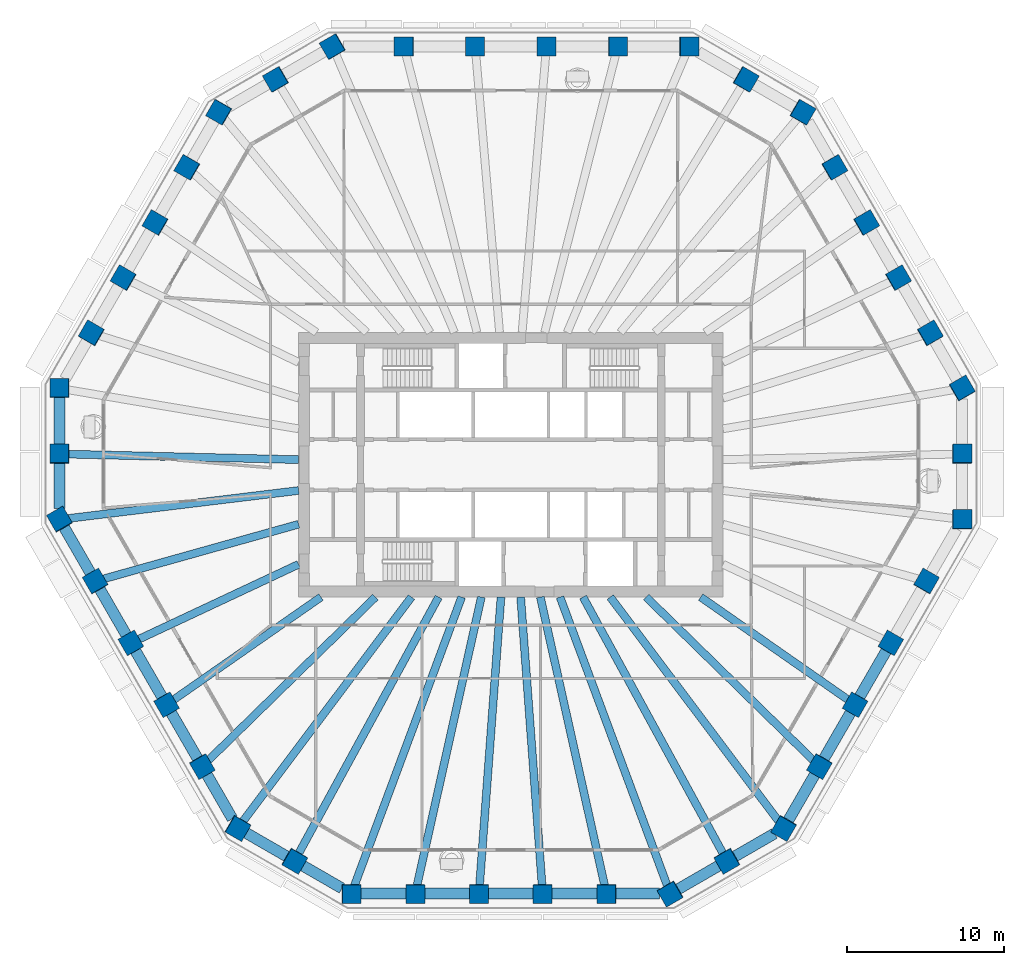
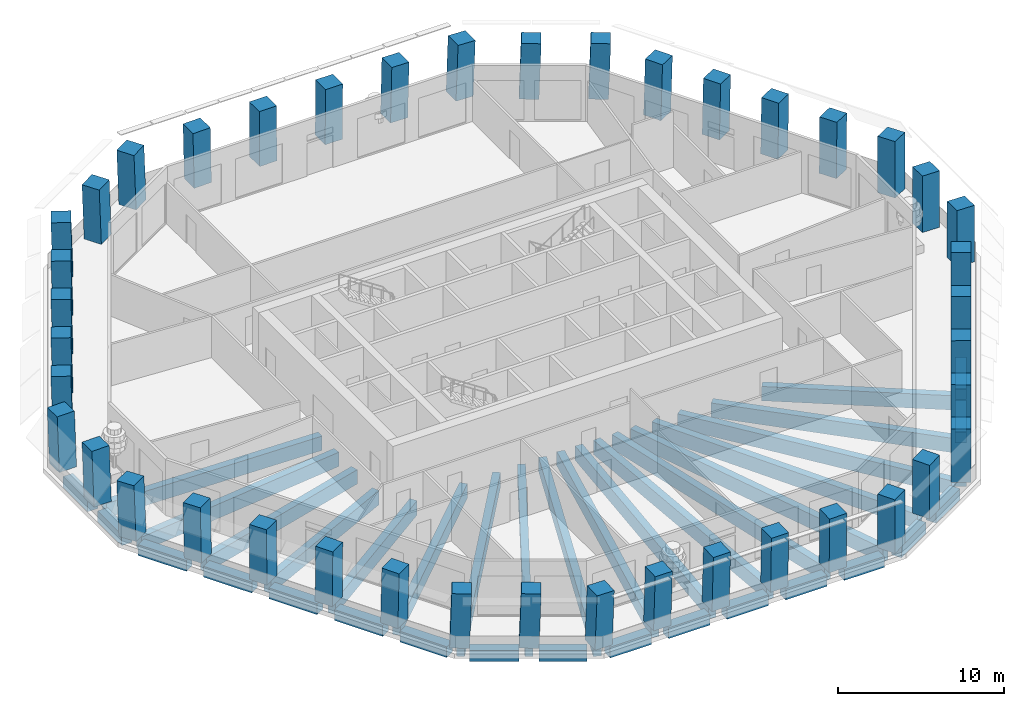
# One storey, part 1 of 13: 42 columns, 37 beams.
"""IFC4 building model written with IfcOpenShell, lengths in metres."""

from ifc_helpers import new_model, si_unit, direction, frame, origin, origin_2d, place, context, subcontext, project, spatial, rectangle, extrude, material, material_profile, profile_set, type_object, element, save


model = new_model("IFC4")

# Units and contexts
model_context = context("Model", 3, precision=1e-05, world=origin(), true_north=direction((0.0, 1.0)))
body_context = subcontext(model_context, "Body", "Model", "MODEL_VIEW")
ifc_project = project(units=[si_unit("LENGTHUNIT", "METRE"), si_unit("AREAUNIT", "SQUARE_METRE"), si_unit("VOLUMEUNIT", "CUBIC_METRE"), si_unit("PLANEANGLEUNIT", "RADIAN"), si_unit("MASSUNIT", "GRAM", prefix="KILO")], contexts=[model_context])

# Site, building, storey
site_placement = place(None, origin())
site = spatial("IfcSite", under=ifc_project, at=site_placement, CompositionType="ELEMENT")
building_placement = place(site_placement, origin())
building = spatial("IfcBuilding", under=site, at=building_placement, Name="Frailejon Research Tower", CompositionType="ELEMENT")
storey_placement = place(building_placement, frame((0.0, 0.0, 167.199951171875)))
storey = spatial("IfcBuildingStorey", under=building, at=storey_placement, Name="L36", CompositionType="ELEMENT", Elevation=167.199951171875)

# Columns
ifc_material_1 = material(Name="Concrete C60/75", Category="concrete")
ifc_material_profile_1 = material_profile(ifc_material_1, rectangle(XDim=1.199951171875, YDim=1.199951171875, at=origin_2d()), Name="Column 1200")
ifc_profile_set_1 = profile_set([ifc_material_profile_1], Name="Concrete C60/75")
column_type = type_object("IfcColumnType", Name="Column 1200", PredefinedType="COLUMN", material=ifc_profile_set_1)
for number, where, z_axis, x_axis, name in (
    (1, (28.81201171875, -3.49609375, 0.0), (0.018132630042, 0.031385715123, 0.999342856388), (-2.2275817e-05, 0.999507197449, -0.031390472292), "Column C01"),
    (2, (28.81201171875, 0.69140625, 0.0), (0.018132630042, 0.031385715123, 0.999342856388), (-2.2275817e-05, 0.999507197449, -0.031390472292), "Column C02"),
    (3, (28.81201171875, 4.87890625, 0.0), (0.018132630042, 0.031385715123, 0.999342856388), (-0.499938597704, 0.865871218169, -0.018122694964), "Column C03"),
):
    element("IfcColumn", number, at=place(storey_placement, frame(where, z_axis=z_axis, x_axis=x_axis)), inside=storey, type_object=column_type, Name=name, PredefinedType="COLUMN", context=body_context, shape_type="SweptSolid", body=[
        extrude(rectangle(XDim=1.199951171875, YDim=1.199951171875, at=origin_2d()), origin(), (0.0, 0.0, 1.0), 4.052734375),
    ])
column_1_placement = place(storey_placement, frame((26.77587890625, 8.405517578125, 0.0), z_axis=(0.021749357258, 0.025183466299, 0.999446225909), x_axis=(-0.501141721156, 0.865296605573, -0.010897692434)))
element("IfcColumn", 4, at=column_1_placement, inside=storey, type_object=column_type, Name="Column C04", PredefinedType="COLUMN", context=body_context, shape_type="SweptSolid", body=[
    extrude(rectangle(XDim=1.199951171875, YDim=1.199951171875, at=origin_2d()), origin(), (0.0, 0.0, 1.0), 4.05224609375),
])
for number, where, z_axis, x_axis, name in (
    (5, (24.73974609375, 11.932373046875, 0.0), (0.025365582388, 0.018858497119, 0.999500347332), (-0.500693070331, 0.865617296359, -0.003625681545), "Column C05"),
    (6, (22.70361328125, 15.458984375, 0.0), (0.028980638596, 0.012592418849, 0.999500652113), (-0.500965869369, 0.865459461575, 0.003621891356), "Column C06"),
):
    element("IfcColumn", number, at=place(storey_placement, frame(where, z_axis=z_axis, x_axis=x_axis)), inside=storey, type_object=column_type, Name=name, PredefinedType="COLUMN", context=body_context, shape_type="SweptSolid", body=[
        extrude(rectangle(XDim=1.199951171875, YDim=1.199951171875, at=origin_2d()), origin(), (0.0, 0.0, 1.0), 4.052001953125),
    ])
column_2_placement = place(storey_placement, frame((20.66748046875, 18.985595703125, 0.0), z_axis=(0.032654174822, 0.006325993277, 0.999446690262), x_axis=(-0.500478631698, 0.865680616164, 0.010872442804)))
element("IfcColumn", 7, at=column_2_placement, inside=storey, type_object=column_type, Name="Column C07", PredefinedType="COLUMN", context=body_context, shape_type="SweptSolid", body=[
    extrude(rectangle(XDim=1.199951171875, YDim=1.199951171875, at=origin_2d()), origin(), (0.0, 0.0, 1.0), 4.05224609375),
])
for number, where, z_axis, x_axis, name in (
    (8, (18.63134765625, 22.512451171875, 0.0), (0.036265236264, 0.0, 0.999342199969), (-0.865313546461, 0.500246354177, 0.031401456084), "Column C08"),
    (9, (15.004638671875, 24.606201171875, 0.0), (0.036265236264, 0.0, 0.999342199969), (-0.865313546461, 0.500246354177, 0.031401456084), "Column C09"),
    (10, (11.378173828125, 26.699951171875, 0.0), (0.036265236264, 0.0, 0.999342199969), (-0.999342199969, 0.0, 0.036265236264), "Column C10"),
):
    element("IfcColumn", number, at=place(storey_placement, frame(where, z_axis=z_axis, x_axis=x_axis)), inside=storey, type_object=column_type, Name=name, PredefinedType="COLUMN", context=body_context, shape_type="SweptSolid", body=[
        extrude(rectangle(XDim=1.199951171875, YDim=1.199951171875, at=origin_2d()), origin(), (0.0, 0.0, 1.0), 4.052734375),
    ])
column_3_placement = place(storey_placement, frame((6.826904296875, 26.699951171875, 0.0), z_axis=(0.021756257337, 0.0, 0.999763304621), x_axis=(-0.999763304621, 0.0, 0.021756257337)))
element("IfcColumn", 11, at=column_3_placement, inside=storey, type_object=column_type, Name="Column C11", PredefinedType="COLUMN", context=body_context, shape_type="SweptSolid", body=[
    extrude(rectangle(XDim=1.199951171875, YDim=1.199951171875, at=origin_2d()), origin(), (0.0, 0.0, 1.0), 4.051025390625),
])
for number, where, z_axis, x_axis, name in (
    (12, (2.275634765625, 26.699951171875, 0.0), (0.007293795973, 0.0, 0.999973399916), (-0.999973399916, 0.0, 0.007293795973), "Column C12"),
    (13, (-2.275634765625, 26.699951171875, 0.0), (-0.007293795973, 0.0, 0.999973399916), (-0.999973399916, 0.0, -0.007293795973), "Column C13"),
):
    element("IfcColumn", number, at=place(storey_placement, frame(where, z_axis=z_axis, x_axis=x_axis)), inside=storey, type_object=column_type, Name=name, PredefinedType="COLUMN", context=body_context, shape_type="SweptSolid", body=[
        extrude(rectangle(XDim=1.199951171875, YDim=1.199951171875, at=origin_2d()), origin(), (0.0, 0.0, 1.0), 4.050048828125),
    ])
column_4_placement = place(storey_placement, frame((-6.826904296875, 26.699951171875, 0.0), z_axis=(-0.021756257337, 0.0, 0.999763304621), x_axis=(-0.999763304621, 0.0, -0.021756257337)))
element("IfcColumn", 14, at=column_4_placement, inside=storey, type_object=column_type, Name="Column C14", PredefinedType="COLUMN", context=body_context, shape_type="SweptSolid", body=[
    extrude(rectangle(XDim=1.199951171875, YDim=1.199951171875, at=origin_2d()), origin(), (0.0, 0.0, 1.0), 4.051025390625),
])
for number, where, z_axis, x_axis, name in (
    (15, (-11.378173828125, 26.699951171875, 0.0), (-0.036265236264, 0.0, 0.999342199969), (-0.865313546461, -0.500246354177, -0.031401456084), "Column C15"),
    (16, (-15.004638671875, 24.606201171875, 0.0), (-0.036265236264, 0.0, 0.999342199969), (-0.865313546461, -0.500246354177, -0.031401456084), "Column C16"),
    (17, (-18.63134765625, 22.512451171875, 0.0), (-0.036265236264, 0.0, 0.999342199969), (-0.499424867419, -0.866167613071, -0.018123682572), "Column C17"),
):
    element("IfcColumn", number, at=place(storey_placement, frame(where, z_axis=z_axis, x_axis=x_axis)), inside=storey, type_object=column_type, Name=name, PredefinedType="COLUMN", context=body_context, shape_type="SweptSolid", body=[
        extrude(rectangle(XDim=1.199951171875, YDim=1.199951171875, at=origin_2d()), origin(), (0.0, 0.0, 1.0), 4.052734375),
    ])
column_5_placement = place(storey_placement, frame((-20.66748046875, 18.985595703125, 0.0), z_axis=(-0.032654174822, 0.006325993277, 0.999446690262), x_axis=(-0.500478631698, -0.865680616164, -0.010872442804)))
element("IfcColumn", 18, at=column_5_placement, inside=storey, type_object=column_type, Name="Column C18", PredefinedType="COLUMN", context=body_context, shape_type="SweptSolid", body=[
    extrude(rectangle(XDim=1.199951171875, YDim=1.199951171875, at=origin_2d()), origin(), (0.0, 0.0, 1.0), 4.05224609375),
])
for number, where, z_axis, x_axis, name in (
    (19, (-22.70361328125, 15.458984375, 0.0), (-0.028980638596, 0.012592418849, 0.999500652113), (-0.500965869369, -0.865459461575, -0.003621891356), "Column C19"),
    (20, (-24.73974609375, 11.932373046875, 0.0), (-0.025365582388, 0.018858497119, 0.999500347332), (-0.500693070331, -0.865617296359, 0.003625681545), "Column C20"),
):
    element("IfcColumn", number, at=place(storey_placement, frame(where, z_axis=z_axis, x_axis=x_axis)), inside=storey, type_object=column_type, Name=name, PredefinedType="COLUMN", context=body_context, shape_type="SweptSolid", body=[
        extrude(rectangle(XDim=1.199951171875, YDim=1.199951171875, at=origin_2d()), origin(), (0.0, 0.0, 1.0), 4.052001953125),
    ])
column_6_placement = place(storey_placement, frame((-26.77587890625, 8.405517578125, 0.0), z_axis=(-0.021749357258, 0.025183466299, 0.999446225909), x_axis=(-0.501141721156, -0.865296605573, 0.010897692434)))
element("IfcColumn", 21, at=column_6_placement, inside=storey, type_object=column_type, Name="Column C21", PredefinedType="COLUMN", context=body_context, shape_type="SweptSolid", body=[
    extrude(rectangle(XDim=1.199951171875, YDim=1.199951171875, at=origin_2d()), origin(), (0.0, 0.0, 1.0), 4.05224609375),
])
for number, where, z_axis, x_axis, name in (
    (22, (-28.81201171875, 4.87890625, 0.0), (-0.018132630042, 0.031385715123, 0.999342856388), (-2.2275817e-05, -0.999507197449, 0.031390472292), "Column C22"),
    (23, (-28.81201171875, 0.69140625, 0.0), (-0.018132630042, 0.031385715123, 0.999342856388), (-2.2275817e-05, -0.999507197449, 0.031390472292), "Column C23"),
    (24, (-28.81201171875, -3.49609375, 0.0), (-0.018132630042, 0.031385715123, 0.999342856388), (0.50014482047, -0.865182814935, 0.036247141934), "Column C24"),
):
    element("IfcColumn", number, at=place(storey_placement, frame(where, z_axis=z_axis, x_axis=x_axis)), inside=storey, type_object=column_type, Name=name, PredefinedType="COLUMN", context=body_context, shape_type="SweptSolid", body=[
        extrude(rectangle(XDim=1.199951171875, YDim=1.199951171875, at=origin_2d()), origin(), (0.0, 0.0, 1.0), 4.052734375),
    ])
column_7_placement = place(storey_placement, frame((-26.536376953125, -7.437744140625, 0.0), z_axis=(-0.010847994403, 0.018863456933, 0.999763217472), x_axis=(0.498562459177, -0.866580616749, 0.02176026136)))
element("IfcColumn", 25, at=column_7_placement, inside=storey, type_object=column_type, Name="Column C25", PredefinedType="COLUMN", context=body_context, shape_type="SweptSolid", body=[
    extrude(rectangle(XDim=1.199951171875, YDim=1.199951171875, at=origin_2d()), origin(), (0.0, 0.0, 1.0), 4.051025390625),
])
for number, where, z_axis, x_axis, name in (
    (26, (-24.2607421875, -11.379150390625, 0.0), (-0.003616759812, 0.006269050341, 0.999973808685), (0.498177152713, -0.867045063843, 0.007237525818), "Column C26"),
    (27, (-21.985107421875, -15.32080078125, 0.0), (0.003616759812, -0.006269050341, 0.999973808685), (0.498177152713, -0.867045063843, -0.007237525818), "Column C27"),
):
    element("IfcColumn", number, at=place(storey_placement, frame(where, z_axis=z_axis, x_axis=x_axis)), inside=storey, type_object=column_type, Name=name, PredefinedType="COLUMN", context=body_context, shape_type="SweptSolid", body=[
        extrude(rectangle(XDim=1.199951171875, YDim=1.199951171875, at=origin_2d()), origin(), (0.0, 0.0, 1.0), 4.050048828125),
    ])
column_8_placement = place(storey_placement, frame((-19.70947265625, -19.26220703125, 0.0), z_axis=(0.010908253887, -0.018863444567, 0.99976256204), x_axis=(0.500638377412, -0.865382225109, -0.021790354016)))
element("IfcColumn", 28, at=column_8_placement, inside=storey, type_object=column_type, Name="Column C28", PredefinedType="COLUMN", context=body_context, shape_type="SweptSolid", body=[
    extrude(rectangle(XDim=1.199951171875, YDim=1.199951171875, at=origin_2d()), origin(), (0.0, 0.0, 1.0), 4.051025390625),
])
for number, where, z_axis, x_axis, name in (
    (29, (-17.433837890625, -23.203857421875, 0.0), (0.018132630042, -0.031385715123, 0.999342856388), (0.865884970752, -0.499257274245, -0.031390946777), "Column C29"),
    (30, (-13.80712890625, -25.297607421875, 0.0), (0.018132630042, -0.031385715123, 0.999342856388), (0.866156195426, -0.498787200508, -0.031381104725), "Column C30"),
    (31, (-10.1806640625, -27.391357421875, 0.0), (0.018132595726, -0.031445896907, 0.999340965106), (0.999835550636, 0.000286381875, -0.018132558286), "Column C31"),
):
    element("IfcColumn", number, at=place(storey_placement, frame(where, z_axis=z_axis, x_axis=x_axis)), inside=storey, type_object=column_type, Name=name, PredefinedType="COLUMN", context=body_context, shape_type="SweptSolid", body=[
        extrude(rectangle(XDim=1.199951171875, YDim=1.199951171875, at=origin_2d()), origin(), (0.0, 0.0, 1.0), 4.052734375),
    ])
column_9_placement = place(storey_placement, frame((-6.1083984375, -27.391357421875, 0.0), z_axis=(0.010904798434, -0.031449197695, 0.999445863134), x_axis=(0.999940479279, 0.000693913361, -0.010888359996)))
element("IfcColumn", 32, at=column_9_placement, inside=storey, type_object=column_type, Name="Column C32", PredefinedType="COLUMN", context=body_context, shape_type="SweptSolid", body=[
    extrude(rectangle(XDim=1.199951171875, YDim=1.199951171875, at=origin_2d()), origin(), (0.0, 0.0, 1.0), 4.05224609375),
])
for number, where, z_axis, x_axis, name in (
    (33, (-2.0361328125, -27.391357421875, 0.0), (0.003615041636, -0.031450862236, 0.999498761749), (0.999993465412, 8.9073869e-05, -0.003614028053), "Column C33"),
    (34, (2.0361328125, -27.391357421875, 0.0), (-0.003615041636, -0.031450862236, 0.999498761749), (0.999993465412, -8.9073869e-05, 0.003614028053), "Column C34"),
):
    element("IfcColumn", number, at=place(storey_placement, frame(where, z_axis=z_axis, x_axis=x_axis)), inside=storey, type_object=column_type, Name=name, PredefinedType="COLUMN", context=body_context, shape_type="SweptSolid", body=[
        extrude(rectangle(XDim=1.199951171875, YDim=1.199951171875, at=origin_2d()), origin(), (0.0, 0.0, 1.0), 4.052001953125),
    ])
column_10_placement = place(storey_placement, frame((6.1083984375, -27.391357421875, 0.0), z_axis=(-0.010904798434, -0.031449197695, 0.999445863134), x_axis=(0.999940479279, -0.000693913361, 0.010888359996)))
element("IfcColumn", 35, at=column_10_placement, inside=storey, type_object=column_type, Name="Column C35", PredefinedType="COLUMN", context=body_context, shape_type="SweptSolid", body=[
    extrude(rectangle(XDim=1.199951171875, YDim=1.199951171875, at=origin_2d()), origin(), (0.0, 0.0, 1.0), 4.05224609375),
])
for number, where, z_axis, x_axis, name in (
    (36, (10.1806640625, -27.391357421875, 0.0), (-0.018132595726, -0.031445896907, 0.999340965106), (0.865740985748, 0.499504693256, 0.031426215359), "Column C36"),
    (37, (13.80712890625, -25.297607421875, 0.0), (-0.018132630042, -0.031385715123, 0.999342856388), (0.866156195426, 0.498787200508, 0.031381104725), "Column C37"),
    (38, (17.433837890625, -23.203857421875, 0.0), (-0.018132630042, -0.031385715123, 0.999342856388), (0.499674818932, 0.865454343132, 0.036247141676), "Column C38"),
):
    element("IfcColumn", number, at=place(storey_placement, frame(where, z_axis=z_axis, x_axis=x_axis)), inside=storey, type_object=column_type, Name=name, PredefinedType="COLUMN", context=body_context, shape_type="SweptSolid", body=[
        extrude(rectangle(XDim=1.199951171875, YDim=1.199951171875, at=origin_2d()), origin(), (0.0, 0.0, 1.0), 4.052734375),
    ])
column_11_placement = place(storey_placement, frame((19.70947265625, -19.26220703125, 0.0), z_axis=(-0.010908253887, -0.018863444567, 0.99976256204), x_axis=(0.500638377412, 0.865382225109, 0.021790354016)))
element("IfcColumn", 39, at=column_11_placement, inside=storey, type_object=column_type, Name="Column C39", PredefinedType="COLUMN", context=body_context, shape_type="SweptSolid", body=[
    extrude(rectangle(XDim=1.199951171875, YDim=1.199951171875, at=origin_2d()), origin(), (0.0, 0.0, 1.0), 4.051025390625),
])
for number, where, z_axis, x_axis, name in (
    (40, (21.985107421875, -15.32080078125, 0.0), (-0.003616759812, -0.006269050341, 0.999973808685), (0.498177152713, 0.867045063843, 0.007237525818), "Column C40"),
    (41, (24.2607421875, -11.379150390625, 0.0), (0.003616759812, 0.006269050341, 0.999973808685), (0.498177152713, 0.867045063843, -0.007237525818), "Column C41"),
):
    element("IfcColumn", number, at=place(storey_placement, frame(where, z_axis=z_axis, x_axis=x_axis)), inside=storey, type_object=column_type, Name=name, PredefinedType="COLUMN", context=body_context, shape_type="SweptSolid", body=[
        extrude(rectangle(XDim=1.199951171875, YDim=1.199951171875, at=origin_2d()), origin(), (0.0, 0.0, 1.0), 4.050048828125),
    ])
column_12_placement = place(storey_placement, frame((26.536376953125, -7.437744140625, 0.0), z_axis=(0.010847994403, 0.018863456933, 0.999763217472), x_axis=(0.498562459177, 0.866580616749, -0.02176026136)))
element("IfcColumn", 42, at=column_12_placement, inside=storey, type_object=column_type, Name="Column C42", PredefinedType="COLUMN", context=body_context, shape_type="SweptSolid", body=[
    extrude(rectangle(XDim=1.199951171875, YDim=1.199951171875, at=origin_2d()), origin(), (0.0, 0.0, 1.0), 4.051025390625),
])

# Beams
ifc_material_2 = material(Name="Concrete C60/75", Category="concrete")
ifc_material_profile_2 = material_profile(ifc_material_2, rectangle(XDim=0.5, YDim=1.050048828125, at=origin_2d()), Name="Girder 500x1050")
ifc_profile_set_2 = profile_set([ifc_material_profile_2], Name="Concrete C60/75")
beam_type_1 = type_object("IfcBeamType", Name="Girder 500x1050", PredefinedType="BEAM", material=ifc_profile_set_2)
beam_1_placement = place(storey_placement, frame((-28.362060546875, 0.6806640625, -0.824951171875), z_axis=(0.999712155975, -0.023991773514, 0.0), x_axis=(0.023991773514, 0.999712155975, 0.0)))
element("IfcBeam", 43, at=beam_1_placement, inside=storey, type_object=beam_type_1, Name="Girder 500x1050", PredefinedType="BEAM", context=body_context, shape_type="SweptSolid", body=[
    extrude(rectangle(XDim=0.5, YDim=1.050048828125, at=origin_2d()), origin(), (0.0, 0.0, 1.0), 14.816162109375),
])
beam_2_placement = place(storey_placement, frame((-28.3134765625, -3.435791015625, -0.824951171875), z_axis=(0.992717728194, 0.120463737816, 0.0), x_axis=(-0.120463737816, 0.992717728194, 0.0)))
element("IfcBeam", 44, at=beam_2_placement, inside=storey, type_object=beam_type_1, Name="Girder 500x1050", PredefinedType="BEAM", context=body_context, shape_type="SweptSolid", body=[
    extrude(rectangle(XDim=0.5, YDim=1.050048828125, at=origin_2d()), origin(), (0.0, 0.0, 1.0), 14.871826171875),
])
beam_3_placement = place(storey_placement, frame((-26.08447265625, -7.31103515625, -0.824951171875), z_axis=(0.962893280224, 0.269882439034, 0.0), x_axis=(-0.269882439034, 0.962893280224, 0.0)))
element("IfcBeam", 45, at=beam_3_placement, inside=storey, type_object=beam_type_1, Name="Girder 500x1050", PredefinedType="BEAM", context=body_context, shape_type="SweptSolid", body=[
    extrude(rectangle(XDim=0.5, YDim=1.050048828125, at=origin_2d()), origin(), (0.0, 0.0, 1.0), 13.017578125),
])
beam_4_placement = place(storey_placement, frame((-23.851318359375, -11.187255859375, -0.824951171875), z_axis=(0.905355317702, 0.424654858336, 0.0), x_axis=(-0.424654858336, 0.905355317702, 0.0)))
element("IfcBeam", 46, at=beam_4_placement, inside=storey, type_object=beam_type_1, Name="Girder 500x1050", PredefinedType="BEAM", context=body_context, shape_type="SweptSolid", body=[
    extrude(rectangle(XDim=0.5, YDim=1.050048828125, at=origin_2d()), origin(), (0.0, 0.0, 1.0), 11.378173828125),
])
beam_5_placement = place(storey_placement, frame((-21.614013671875, -15.062255859375, -0.824951171875), z_axis=(0.820435074715, 0.571739703167, 0.0), x_axis=(-0.571739703167, 0.820435074715, 0.0)))
element("IfcBeam", 47, at=beam_5_placement, inside=storey, type_object=beam_type_1, Name="Girder 500x1050", PredefinedType="BEAM", context=body_context, shape_type="SweptSolid", body=[
    extrude(rectangle(XDim=0.5, YDim=1.050048828125, at=origin_2d()), origin(), (0.0, 0.0, 1.0), 11.565185546875),
])
beam_6_placement = place(storey_placement, frame((-19.373779296875, -18.934326171875, -0.824951171875), z_axis=(0.715173704342, 0.698946759502, 0.0), x_axis=(-0.698946759502, 0.715173704342, 0.0)))
element("IfcBeam", 48, at=beam_6_placement, inside=storey, type_object=beam_type_1, Name="Girder 500x1050", PredefinedType="BEAM", context=body_context, shape_type="SweptSolid", body=[
    extrude(rectangle(XDim=0.5, YDim=1.050048828125, at=origin_2d()), origin(), (0.0, 0.0, 1.0), 15.000244140625),
])
beam_7_placement = place(storey_placement, frame((-17.160888671875, -22.840576171875, -0.824951171875), z_axis=(0.60067687921, 0.799491892881, 0.0), x_axis=(-0.799491892881, 0.60067687921, 0.0)))
element("IfcBeam", 49, at=beam_7_placement, inside=storey, type_object=beam_type_1, Name="Girder 500x1050", PredefinedType="BEAM", context=body_context, shape_type="SweptSolid", body=[
    extrude(rectangle(XDim=0.5, YDim=1.050048828125, at=origin_2d()), origin(), (0.0, 0.0, 1.0), 17.999755859375),
])
beam_8_placement = place(storey_placement, frame((-13.591552734375, -24.902587890625, -0.824951171875), z_axis=(0.479081176001, 0.877770600329, 0.0), x_axis=(-0.877770600329, 0.479081176001, 0.0)))
element("IfcBeam", 50, at=beam_8_placement, inside=storey, type_object=beam_type_1, Name="Girder 500x1050", PredefinedType="BEAM", context=body_context, shape_type="SweptSolid", body=[
    extrude(rectangle(XDim=0.5, YDim=1.050048828125, at=origin_2d()), origin(), (0.0, 0.0, 1.0), 18.74365234375),
])
beam_9_placement = place(storey_placement, frame((-10.010009765625, -26.931884765625, -0.824951171875), z_axis=(0.348394502623, 0.937347998633, 0.0), x_axis=(-0.937347998633, 0.348394502623, 0.0)))
element("IfcBeam", 51, at=beam_9_placement, inside=storey, type_object=beam_type_1, Name="Girder 500x1050", PredefinedType="BEAM", context=body_context, shape_type="SweptSolid", body=[
    extrude(rectangle(XDim=0.5, YDim=1.050048828125, at=origin_2d()), origin(), (0.0, 0.0, 1.0), 19.71728515625),
])
beam_10_placement = place(storey_placement, frame((-6.007080078125, -26.937744140625, -0.824951171875), z_axis=(0.217642779806, 0.976028493641, 0.0), x_axis=(-0.976028493641, 0.217642779806, 0.0)))
element("IfcBeam", 52, at=beam_10_placement, inside=storey, type_object=beam_type_1, Name="Girder 500x1050", PredefinedType="BEAM", context=body_context, shape_type="SweptSolid", body=[
    extrude(rectangle(XDim=0.5, YDim=1.050048828125, at=origin_2d()), origin(), (0.0, 0.0, 1.0), 18.94189453125),
])
for number, where, z_axis, x_axis, name in (
    (53, (-2.002685546875, -26.94091796875, -0.824951171875), (0.074129704185, 0.997248608401, 0.0), (-0.997248608401, 0.074129704185, 0.0), "Girder 500x1050"),
    (54, (2.002685546875, -26.94091796875, -0.824951171875), (-0.074129704185, 0.997248608401, 0.0), (-0.997248608401, -0.074129704185, 0.0), "Girder 500x1050"),
):
    element("IfcBeam", number, at=place(storey_placement, frame(where, z_axis=z_axis, x_axis=x_axis)), inside=storey, type_object=beam_type_1, Name=name, PredefinedType="BEAM", context=body_context, shape_type="SweptSolid", body=[
        extrude(rectangle(XDim=0.5, YDim=1.050048828125, at=origin_2d()), origin(), (0.0, 0.0, 1.0), 18.5419921875),
    ])
beam_11_placement = place(storey_placement, frame((6.007080078125, -26.937744140625, -0.824951171875), z_axis=(-0.217642779806, 0.976028493641, 0.0), x_axis=(-0.976028493641, -0.217642779806, 0.0)))
element("IfcBeam", 55, at=beam_11_placement, inside=storey, type_object=beam_type_1, Name="Girder 500x1050", PredefinedType="BEAM", context=body_context, shape_type="SweptSolid", body=[
    extrude(rectangle(XDim=0.5, YDim=1.050048828125, at=origin_2d()), origin(), (0.0, 0.0, 1.0), 18.94189453125),
])
beam_12_placement = place(storey_placement, frame((10.02099609375, -26.961669921875, -0.824951171875), z_axis=(-0.348390754367, 0.937349391781, 0.0), x_axis=(-0.937349391781, -0.348390754367, 0.0)))
element("IfcBeam", 56, at=beam_12_placement, inside=storey, type_object=beam_type_1, Name="Girder 500x1050", PredefinedType="BEAM", context=body_context, shape_type="SweptSolid", body=[
    extrude(rectangle(XDim=0.5, YDim=1.050048828125, at=origin_2d()), origin(), (0.0, 0.0, 1.0), 19.7490234375),
])
beam_13_placement = place(storey_placement, frame((13.591552734375, -24.902587890625, -0.824951171875), z_axis=(-0.479081176001, 0.877770600329, 0.0), x_axis=(-0.877770600329, -0.479081176001, 0.0)))
element("IfcBeam", 57, at=beam_13_placement, inside=storey, type_object=beam_type_1, Name="Girder 500x1050", PredefinedType="BEAM", context=body_context, shape_type="SweptSolid", body=[
    extrude(rectangle(XDim=0.5, YDim=1.050048828125, at=origin_2d()), origin(), (0.0, 0.0, 1.0), 18.74365234375),
])
beam_14_placement = place(storey_placement, frame((17.132080078125, -22.80224609375, -0.824951171875), z_axis=(-0.600676511994, 0.799492168779, 0.0), x_axis=(-0.799492168779, -0.600676511994, 0.0)))
element("IfcBeam", 58, at=beam_14_placement, inside=storey, type_object=beam_type_1, Name="Girder 500x1050", PredefinedType="BEAM", context=body_context, shape_type="SweptSolid", body=[
    extrude(rectangle(XDim=0.5, YDim=1.050048828125, at=origin_2d()), origin(), (0.0, 0.0, 1.0), 17.95166015625),
])
beam_15_placement = place(storey_placement, frame((19.373779296875, -18.934326171875, -0.824951171875), z_axis=(-0.715173704342, 0.698946759502, 0.0), x_axis=(-0.698946759502, -0.715173704342, 0.0)))
element("IfcBeam", 59, at=beam_15_placement, inside=storey, type_object=beam_type_1, Name="Girder 500x1050", PredefinedType="BEAM", context=body_context, shape_type="SweptSolid", body=[
    extrude(rectangle(XDim=0.5, YDim=1.050048828125, at=origin_2d()), origin(), (0.0, 0.0, 1.0), 15.000244140625),
])
beam_16_placement = place(storey_placement, frame((21.614013671875, -15.062255859375, -0.824951171875), z_axis=(-0.820435074715, 0.571739703167, 0.0), x_axis=(-0.571739703167, -0.820435074715, 0.0)))
element("IfcBeam", 60, at=beam_16_placement, inside=storey, type_object=beam_type_1, Name="Girder 500x1050", PredefinedType="BEAM", context=body_context, shape_type="SweptSolid", body=[
    extrude(rectangle(XDim=0.5, YDim=1.050048828125, at=origin_2d()), origin(), (0.0, 0.0, 1.0), 11.565185546875),
])
ifc_material_3 = material(Name="Concrete C60/75", Category="concrete")
ifc_material_profile_3 = material_profile(ifc_material_3, rectangle(XDim=0.699951171875, YDim=0.800048828125, at=origin_2d()), Name="Spandrel 700x800")
ifc_profile_set_3 = profile_set([ifc_material_profile_3], Name="Concrete C60/75")
beam_type_2 = type_object("IfcBeamType", Name="Spandrel 700x800", PredefinedType="BEAM", material=ifc_profile_set_3)
beam_17_placement = place(storey_placement, frame((-28.81201171875, 4.27880859375, -0.75), z_axis=(0.0, -1.0, 0.0), x_axis=(1.0, 0.0, 0.0)))
element("IfcBeam", 61, at=beam_17_placement, inside=storey, type_object=beam_type_2, Name="Spandrel 700x800", PredefinedType="BEAM", context=body_context, shape_type="SweptSolid", body=[
    extrude(rectangle(XDim=0.699951171875, YDim=0.800048828125, at=origin_2d()), origin(), (0.0, 0.0, 1.0), 2.9873046875),
])
beam_18_placement = place(storey_placement, frame((-28.81201171875, 0.09130859375, -0.75), z_axis=(0.0, -1.0, 0.0), x_axis=(1.0, 0.0, 0.0)))
element("IfcBeam", 62, at=beam_18_placement, inside=storey, type_object=beam_type_2, Name="Spandrel 700x800", PredefinedType="BEAM", context=body_context, shape_type="SweptSolid", body=[
    extrude(rectangle(XDim=0.699951171875, YDim=0.800048828125, at=origin_2d()), origin(), (0.0, 0.0, 1.0), 2.894775390625),
])
for number, where, z_axis, x_axis, name in (
    (63, (-28.511962890625, -4.015869140625, -0.75), (0.500025132165, -0.866010893236, 0.0), (0.866010893236, 0.500025132165, 0.0), "Spandrel 700x800"),
    (64, (-26.236328125, -7.957275390625, -0.75), (0.499970495397, -0.866042437605, 0.0), (0.866042437605, 0.499970495397, 0.0), "Spandrel 700x800"),
):
    element("IfcBeam", number, at=place(storey_placement, frame(where, z_axis=z_axis, x_axis=x_axis)), inside=storey, type_object=beam_type_2, Name=name, PredefinedType="BEAM", context=body_context, shape_type="SweptSolid", body=[
        extrude(rectangle(XDim=0.699951171875, YDim=0.800048828125, at=origin_2d()), origin(), (0.0, 0.0, 1.0), 3.351318359375),
    ])
beam_19_placement = place(storey_placement, frame((-23.960693359375, -11.898681640625, -0.75), z_axis=(0.499938953262, -0.866060646267, 0.0), x_axis=(0.866060646267, 0.499938953262, 0.0)))
element("IfcBeam", 65, at=beam_19_placement, inside=storey, type_object=beam_type_2, Name="Spandrel 700x800", PredefinedType="BEAM", context=body_context, shape_type="SweptSolid", body=[
    extrude(rectangle(XDim=0.699951171875, YDim=0.800048828125, at=origin_2d()), origin(), (0.0, 0.0, 1.0), 3.3515625),
])
beam_20_placement = place(storey_placement, frame((-21.68505859375, -15.84033203125, -0.75), z_axis=(0.499970495397, -0.866042437605, 0.0), x_axis=(0.866042437605, 0.499970495397, 0.0)))
element("IfcBeam", 66, at=beam_20_placement, inside=storey, type_object=beam_type_2, Name="Spandrel 700x800", PredefinedType="BEAM", context=body_context, shape_type="SweptSolid", body=[
    extrude(rectangle(XDim=0.699951171875, YDim=0.800048828125, at=origin_2d()), origin(), (0.0, 0.0, 1.0), 3.351318359375),
])
beam_21_placement = place(storey_placement, frame((-19.409423828125, -19.781982421875, -0.75), z_axis=(0.499999190135, -0.86602587136, 0.0), x_axis=(0.86602587136, 0.499999190135, 0.0)))
element("IfcBeam", 67, at=beam_21_placement, inside=storey, type_object=beam_type_2, Name="Spandrel 700x800", PredefinedType="BEAM", context=body_context, shape_type="SweptSolid", body=[
    extrude(rectangle(XDim=0.699951171875, YDim=0.800048828125, at=origin_2d()), origin(), (0.0, 0.0, 1.0), 3.25830078125),
])
beam_22_placement = place(storey_placement, frame((-16.914306640625, -23.50390625, -0.75), z_axis=(0.866052229876, -0.499953532967, 0.0), x_axis=(0.499953532967, 0.866052229876, 0.0)))
element("IfcBeam", 68, at=beam_22_placement, inside=storey, type_object=beam_type_2, Name="Spandrel 700x800", PredefinedType="BEAM", context=body_context, shape_type="SweptSolid", body=[
    extrude(rectangle(XDim=0.699951171875, YDim=0.800048828125, at=origin_2d()), origin(), (0.0, 0.0, 1.0), 2.987548828125),
])
beam_23_placement = place(storey_placement, frame((-13.28759765625, -25.59765625, -0.75), z_axis=(0.866033897268, -0.499985288567, 0.0), x_axis=(0.499985288567, 0.866033897268, 0.0)))
element("IfcBeam", 69, at=beam_23_placement, inside=storey, type_object=beam_type_2, Name="Spandrel 700x800", PredefinedType="BEAM", context=body_context, shape_type="SweptSolid", body=[
    extrude(rectangle(XDim=0.699951171875, YDim=0.800048828125, at=origin_2d()), origin(), (0.0, 0.0, 1.0), 2.89453125),
])
for number, where, z_axis, x_axis, name in (
    (70, (-9.580810546875, -27.391357421875, -0.75), (1.0, 0.0, 0.0), (0.0, 1.0, 0.0), "Spandrel 700x800"),
    (71, (-5.50830078125, -27.391357421875, -0.75), (1.0, 0.0, 0.0), (0.0, 1.0, 0.0), "Spandrel 700x800"),
):
    element("IfcBeam", number, at=place(storey_placement, frame(where, z_axis=z_axis, x_axis=x_axis)), inside=storey, type_object=beam_type_2, Name=name, PredefinedType="BEAM", context=body_context, shape_type="SweptSolid", body=[
        extrude(rectangle(XDim=0.699951171875, YDim=0.800048828125, at=origin_2d()), origin(), (0.0, 0.0, 1.0), 2.872314453125),
    ])
beam_24_placement = place(storey_placement, frame((-1.43603515625, -27.391357421875, -0.75), z_axis=(1.0, 0.0, 0.0), x_axis=(0.0, 1.0, 0.0)))
element("IfcBeam", 72, at=beam_24_placement, inside=storey, type_object=beam_type_2, Name="Spandrel 700x800", PredefinedType="BEAM", context=body_context, shape_type="SweptSolid", body=[
    extrude(rectangle(XDim=0.699951171875, YDim=0.800048828125, at=origin_2d()), origin(), (0.0, 0.0, 1.0), 2.8720703125),
])
beam_25_placement = place(storey_placement, frame((2.635986328125, -27.391357421875, -0.75), z_axis=(1.0, 0.0, 0.0), x_axis=(0.0, 1.0, 0.0)))
element("IfcBeam", 73, at=beam_25_placement, inside=storey, type_object=beam_type_2, Name="Spandrel 700x800", PredefinedType="BEAM", context=body_context, shape_type="SweptSolid", body=[
    extrude(rectangle(XDim=0.699951171875, YDim=0.800048828125, at=origin_2d()), origin(), (0.0, 0.0, 1.0), 2.872314453125),
])
beam_26_placement = place(storey_placement, frame((6.70849609375, -27.391357421875, -0.75), z_axis=(1.0, 0.0, 0.0), x_axis=(0.0, 1.0, 0.0)))
element("IfcBeam", 74, at=beam_26_placement, inside=storey, type_object=beam_type_2, Name="Spandrel 700x800", PredefinedType="BEAM", context=body_context, shape_type="SweptSolid", body=[
    extrude(rectangle(XDim=0.699951171875, YDim=0.800048828125, at=origin_2d()), origin(), (0.0, 0.0, 1.0), 2.779296875),
])
beam_27_placement = place(storey_placement, frame((10.7001953125, -27.09130859375, -0.75), z_axis=(0.866052229876, 0.499953532967, 0.0), x_axis=(-0.499953532967, 0.866052229876, 0.0)))
element("IfcBeam", 75, at=beam_27_placement, inside=storey, type_object=beam_type_2, Name="Spandrel 700x800", PredefinedType="BEAM", context=body_context, shape_type="SweptSolid", body=[
    extrude(rectangle(XDim=0.699951171875, YDim=0.800048828125, at=origin_2d()), origin(), (0.0, 0.0, 1.0), 2.987548828125),
])
beam_28_placement = place(storey_placement, frame((14.326904296875, -24.99755859375, -0.75), z_axis=(0.866033897268, 0.499985288567, 0.0), x_axis=(-0.499985288567, 0.866033897268, 0.0)))
element("IfcBeam", 76, at=beam_28_placement, inside=storey, type_object=beam_type_2, Name="Spandrel 700x800", PredefinedType="BEAM", context=body_context, shape_type="SweptSolid", body=[
    extrude(rectangle(XDim=0.699951171875, YDim=0.800048828125, at=origin_2d()), origin(), (0.0, 0.0, 1.0), 2.89453125),
])
beam_29_placement = place(storey_placement, frame((17.73388671875, -22.68408203125, -0.75), z_axis=(0.50000204085, 0.866024225496, 0.0), x_axis=(-0.866024225496, 0.50000204085, 0.0)))
element("IfcBeam", 77, at=beam_29_placement, inside=storey, type_object=beam_type_2, Name="Spandrel 700x800", PredefinedType="BEAM", context=body_context, shape_type="SweptSolid", body=[
    extrude(rectangle(XDim=0.699951171875, YDim=0.800048828125, at=origin_2d()), origin(), (0.0, 0.0, 1.0), 3.35107421875),
])
beam_30_placement = place(storey_placement, frame((20.009521484375, -18.74267578125, -0.75), z_axis=(0.499970495397, 0.866042437605, 0.0), x_axis=(-0.866042437605, 0.499970495397, 0.0)))
element("IfcBeam", 78, at=beam_30_placement, inside=storey, type_object=beam_type_2, Name="Spandrel 700x800", PredefinedType="BEAM", context=body_context, shape_type="SweptSolid", body=[
    extrude(rectangle(XDim=0.699951171875, YDim=0.800048828125, at=origin_2d()), origin(), (0.0, 0.0, 1.0), 3.351318359375),
])
beam_31_placement = place(storey_placement, frame((22.28515625, -14.80126953125, -0.75), z_axis=(0.499938953262, 0.866060646267, 0.0), x_axis=(-0.866060646267, 0.499938953262, 0.0)))
element("IfcBeam", 79, at=beam_31_placement, inside=storey, type_object=beam_type_2, Name="Spandrel 700x800", PredefinedType="BEAM", context=body_context, shape_type="SweptSolid", body=[
    extrude(rectangle(XDim=0.699951171875, YDim=0.800048828125, at=origin_2d()), origin(), (0.0, 0.0, 1.0), 3.3515625),
])

save(model, "model.ifc")
